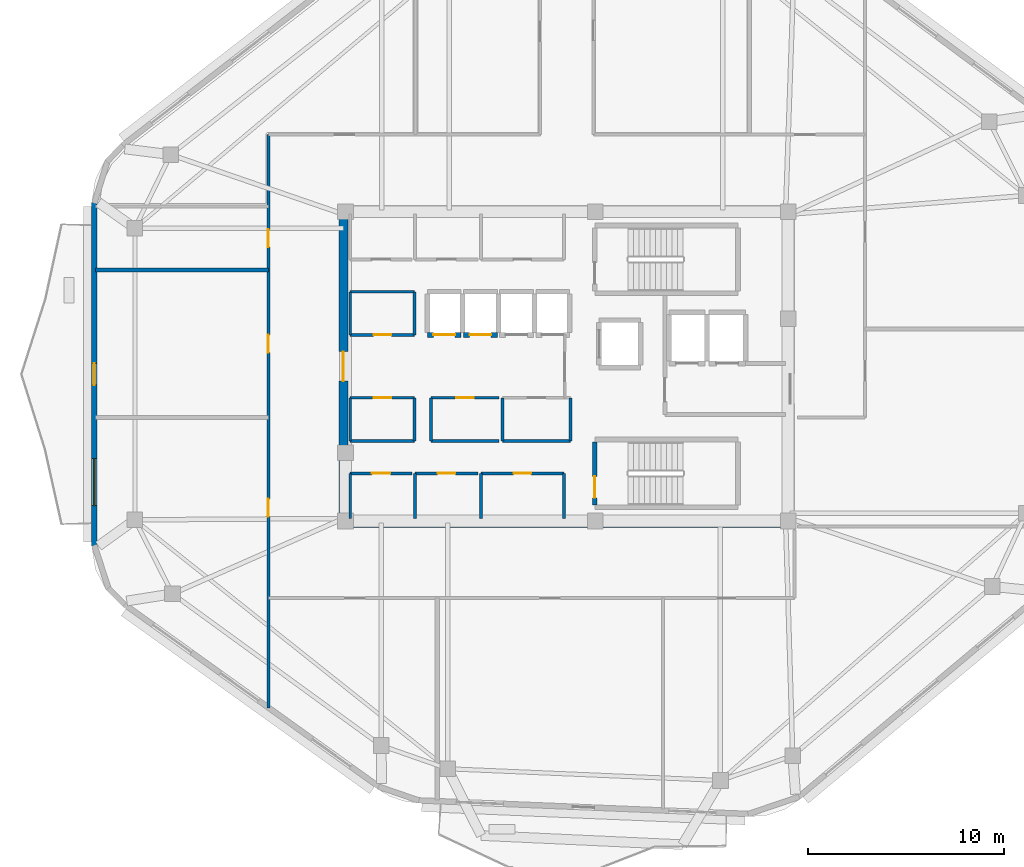
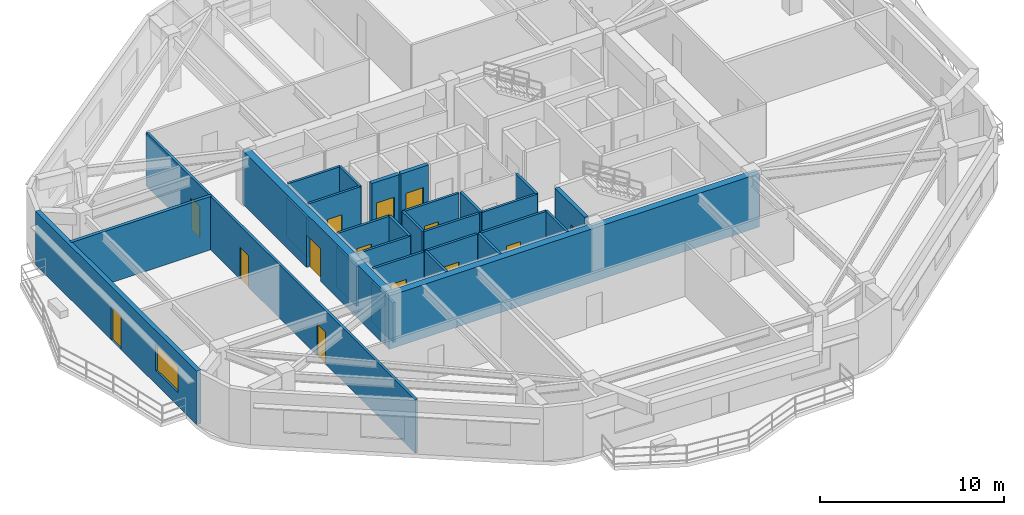
# One storey, part 6 of 12: 29 walls, 14 doors, 1 window, 15 openings.
"""IFC4 building model written with IfcOpenShell, lengths in metres."""

from ifc_helpers import new_model, si_unit, direction, frame, frame_2d, origin, place, context, subcontext, project, spatial, rectangle, extrude, material, layer, layer_set, type_object, element, fill, save


model = new_model("IFC4")

# Units and contexts
model_context = context("Model", 3, precision=1e-05, world=origin(), true_north=direction((0.0, 1.0)))
body_context = subcontext(model_context, "Body", "Model", "MODEL_VIEW")
ifc_project = project(units=[si_unit("LENGTHUNIT", "METRE"), si_unit("AREAUNIT", "SQUARE_METRE"), si_unit("VOLUMEUNIT", "CUBIC_METRE"), si_unit("PLANEANGLEUNIT", "RADIAN"), si_unit("MASSUNIT", "GRAM", prefix="KILO")], contexts=[model_context])

# Site, building, storey
site_placement = place(None, origin())
site = spatial("IfcSite", under=ifc_project, at=site_placement, CompositionType="ELEMENT")
building_placement = place(site_placement, origin())
building = spatial("IfcBuilding", under=site, at=building_placement, Name="Zulverin Broadcast Headquarters", CompositionType="ELEMENT")
storey_placement = place(building_placement, frame((0.0, 0.0, 293.39990234375)))
storey = spatial("IfcBuildingStorey", under=building, at=storey_placement, Name="L75", CompositionType="ELEMENT", Elevation=293.39990234375)

# Walls
ifc_material_1 = material(Name="Acoustic drywall steel stud", Category="steel")
ifc_layer_1 = layer(ifc_material_1, 0.199951171875, Name="Acoustic drywall steel stud", Category="steel")
ifc_layer_set_1 = layer_set([ifc_layer_1], Name="Acoustic drywall steel stud")
wall_type_1 = type_object("IfcWallType", Name="WL-ACOU-200", PredefinedType="PARTITIONING", material=ifc_layer_set_1)
wall_1_placement = place(storey_placement, frame((13.0048828125, 30.10009765625, 0.0), z_axis=(0.0, 0.0, 1.0), x_axis=(1.0, 0.0, 0.0)))
element("IfcWall", 1, at=wall_1_placement, inside=storey, type_object=wall_type_1, Name="L75 Room Partition Wall RP-15", PredefinedType="PARTITIONING", context=body_context, shape_type="SweptSolid", body=[
    extrude(rectangle(XDim=8.795166015625, YDim=0.199951171875, at=frame_2d((4.3974609375, 0.0))), origin(), (0.0, 0.0, 1.0), 3.5400390625),
])
ifc_material_2 = material(Name="Concrete C50/60", Category="concrete")
ifc_layer_2 = layer(ifc_material_2, 0.449951171875, Name="Concrete C50/60", Category="concrete")
ifc_layer_set_2 = layer_set([ifc_layer_2], Name="Concrete C50/60")
wall_type_2 = type_object("IfcWallType", Name="WL-CORE-450", PredefinedType="SHEAR", material=ifc_layer_set_2)
wall_2_placement = place(storey_placement, frame((25.39990234375, 17.22509765625, 0.0), z_axis=(0.0, 0.0, 1.0), x_axis=(1.0, 0.0, 0.0)))
element("IfcWall", 2, at=wall_2_placement, inside=storey, type_object=wall_type_2, Name="L75 Core South Shear Wall", PredefinedType="SHEAR", context=body_context, shape_type="SweptSolid", body=[
    extrude(rectangle(XDim=23.2001953125, YDim=0.449951171875, at=frame_2d((11.60009765625, 0.0))), origin(), (0.0, 0.0, 1.0), 3.5400390625),
])

# Wall, opening, door
wall_3_placement = place(storey_placement, frame((25.625, 17.449951171875, 0.0), z_axis=(0.0, 0.0, 1.0), x_axis=(0.0, 1.0, 0.0)))
wall_3 = element("IfcWall", 3, at=wall_3_placement, inside=storey, type_object=wall_type_2, Name="L75 Core West Shear Wall", PredefinedType="SHEAR", context=body_context, shape_type="SweptSolid", body=[
    extrude(rectangle(XDim=15.5, YDim=0.449951171875, at=frame_2d((7.75, 0.0))), origin(), (0.0, 0.0, 1.0), 3.5400390625),
])
opening_1_placement = place(wall_3_placement, frame((7.0, 0.0, 0.0)))
opening_1 = element("IfcOpeningElement", 4, at=opening_1_placement, cuts=wall_3, Name="Opening D-L75-CW1", PredefinedType="OPENING", context=body_context, shape_type="SweptSolid", body=[
    extrude(rectangle(XDim=1.5, YDim=2.14990234375, at=frame_2d((0.75, 1.074951171875))), frame((0.0, 0.23486328125, 0.0), z_axis=(0.0, -1.0, 0.0), x_axis=(1.0, 0.0, 0.0)), (0.0, 0.0, 1.0), 0.469970703125),
])
ifc_material_3 = material(Name="Fire-rated glazed steel frame", Category="steel")
door_type_1 = type_object("IfcDoorType", Name="DR-COR-1500", OperationType="DOUBLE_DOOR_SINGLE_SWING", PredefinedType="DOOR", material=ifc_material_3)
door_1_placement = place(opening_1_placement, origin())
door_1 = element("IfcDoor", 5, at=door_1_placement, inside=storey, type_object=door_type_1, Name="L75 Central Lift Lobby West Portal Door", OperationType="DOUBLE_DOOR_SINGLE_SWING", OverallHeight=2.14990234375, OverallWidth=1.5, PredefinedType="DOOR", context=body_context, shape_type="SweptSolid", body=[
    extrude(rectangle(XDim=1.5, YDim=2.14990234375, at=frame_2d((0.75, 1.074951171875))), frame((0.0, 0.02490234375, 0.0), z_axis=(0.0, -1.0, 0.0), x_axis=(1.0, 0.0, 0.0)), (0.0, 0.0, 1.0), 0.050048828125),
])
fill(opening_1, door_1)

# Wall, openings, door, window
ifc_material_4 = material(Name="Insulated pale-metal clad concrete spandrel C40/50", Category="concrete")
ifc_layer_3 = layer(ifc_material_4, 0.280029296875, Name="Insulated pale-metal clad concrete spandrel C40/50", Category="concrete")
ifc_layer_set_3 = layer_set([ifc_layer_3], Name="Insulated pale-metal clad concrete spandrel C40/50")
wall_type_3 = type_object("IfcWallType", Name="WL-EXT-280", PredefinedType="STANDARD", material=ifc_layer_set_3)
wall_4_placement = place(storey_placement, frame((12.93994140625, 33.548095703125, 0.0), z_axis=(0.0, 0.0, 1.0), x_axis=(0.0, -1.0, 0.0)))
wall_4 = element("IfcWall", 6, at=wall_4_placement, inside=storey, type_object=wall_type_3, Name="L75 Pale-Metal Clad Spandrel Wall 7", PredefinedType="STANDARD", context=body_context, shape_type="SweptSolid", body=[
    extrude(rectangle(XDim=17.496337890625, YDim=0.280029296875, at=frame_2d((8.748046875, 0.0))), origin(), (0.0, 0.0, 1.0), 3.5400390625),
])
opening_2_placement = place(wall_4_placement, frame((8.1982421875, 0.0, 0.0)))
opening_2 = element("IfcOpeningElement", 7, at=opening_2_placement, cuts=wall_4, Name="Opening D-L75-TR7", PredefinedType="OPENING", context=body_context, shape_type="SweptSolid", body=[
    extrude(rectangle(XDim=1.10009765625, YDim=2.199951171875, at=frame_2d((0.550048828125, 1.10009765625))), frame((0.0, 0.14990234375, 0.0), z_axis=(0.0, -1.0, 0.0), x_axis=(1.0, 0.0, 0.0)), (0.0, 0.0, 1.0), 0.300048828125),
])
opening_3_placement = place(wall_4_placement, frame((13.046875, 0.0, 0.89990234375)))
opening_3 = element("IfcOpeningElement", 8, at=opening_3_placement, cuts=wall_4, Name="Opening W-L75-E71", PredefinedType="OPENING", context=body_context, shape_type="SweptSolid", body=[
    extrude(rectangle(XDim=2.39990234375, YDim=1.75, at=frame_2d((1.199951171875, 0.875))), frame((0.0, 0.14990234375, 0.0), z_axis=(0.0, -1.0, 0.0), x_axis=(1.0, 0.0, 0.0)), (0.0, 0.0, 1.0), 0.300048828125),
])
ifc_material_5 = material(Name="Thermally broken aluminium glazed", Category="aluminium")
door_type_2 = type_object("IfcDoorType", Name="DR-TERR-1100", OperationType="SINGLE_SWING_RIGHT", PredefinedType="DOOR", material=ifc_material_5)
door_2_placement = place(opening_2_placement, origin())
door_2 = element("IfcDoor", 9, at=door_2_placement, inside=storey, type_object=door_type_2, Name="L75 Planted Terrace Glazed Access Door 7", OperationType="SINGLE_SWING_RIGHT", OverallHeight=2.199951171875, OverallWidth=1.10009765625, PredefinedType="DOOR", context=body_context, shape_type="SweptSolid", body=[
    extrude(rectangle(XDim=1.10009765625, YDim=2.199951171875, at=frame_2d((0.550048828125, 1.10009765625))), frame((0.0, 0.02490234375, 0.0), z_axis=(0.0, -1.0, 0.0), x_axis=(1.0, 0.0, 0.0)), (0.0, 0.0, 1.0), 0.050048828125),
])
fill(opening_2, door_2)
ifc_material_6 = material(Name="Pale anodized aluminium frame with solar-control low-E double glazing", Category="aluminium")
window_type = type_object("IfcWindowType", Name="WIN-RIB-2400", PartitioningType="SINGLE_PANEL", PredefinedType="WINDOW", material=ifc_material_6)
window_placement = place(opening_3_placement, origin())
window = element("IfcWindow", 10, at=window_placement, inside=storey, type_object=window_type, Name="L75 Ribbon Glazing Window 7 1", OverallHeight=1.75, OverallWidth=2.39990234375, PartitioningType="SINGLE_PANEL", PredefinedType="WINDOW", context=body_context, shape_type="SweptSolid", body=[
    extrude(rectangle(XDim=2.39990234375, YDim=1.75, at=frame_2d((1.199951171875, 0.875))), frame((0.0, 0.030029296875, 0.0), z_axis=(0.0, -1.0, 0.0), x_axis=(1.0, 0.0, 0.0)), (0.0, 0.0, 1.0), 0.06005859375),
])
fill(opening_3, window)

# Wall, opening, door
ifc_material_7 = material(Name="Fire-rated gypsum stud partition", Category="gypsum")
ifc_layer_4 = layer(ifc_material_7, 0.14990234375, Name="Fire-rated gypsum stud partition", Category="gypsum")
ifc_layer_set_4 = layer_set([ifc_layer_4], Name="Fire-rated gypsum stud partition")
wall_type_4 = type_object("IfcWallType", Name="WL-PART-150", PredefinedType="PARTITIONING", material=ifc_layer_set_4)
wall_5_placement = place(storey_placement, frame((25.969970703125, 19.75, 0.0), z_axis=(0.0, 0.0, 1.0), x_axis=(1.0, 0.0, 0.0)))
wall_5 = element("IfcWall", 11, at=wall_5_placement, inside=storey, type_object=wall_type_4, Name="L75 Core Female WC Front Wall", PredefinedType="PARTITIONING", context=body_context, shape_type="SweptSolid", body=[
    extrude(rectangle(XDim=3.150146484375, YDim=0.14990234375, at=frame_2d((1.5751953125, 0.0))), origin(), (0.0, 0.0, 1.0), 3.5400390625),
])
opening_4_placement = place(wall_5_placement, frame((1.10009765625, 0.0, 0.0)))
opening_4 = element("IfcOpeningElement", 12, at=opening_4_placement, cuts=wall_5, Name="Opening D-L75-SC1", PredefinedType="OPENING", context=body_context, shape_type="SweptSolid", body=[
    extrude(rectangle(XDim=0.949951171875, YDim=2.10009765625, at=frame_2d((0.47509765625, 1.050048828125))), frame((0.0, 0.0849609375, 0.0), z_axis=(0.0, -1.0, 0.0), x_axis=(1.0, 0.0, 0.0)), (0.0, 0.0, 1.0), 0.169921875),
])
ifc_material_8 = material(Name="Fire-rated moisture-resistant laminate leaf", Category="wood")
door_type_3 = type_object("IfcDoorType", Name="DR-WC-950", OperationType="SINGLE_SWING_LEFT", PredefinedType="DOOR", material=ifc_material_8)
door_3_placement = place(opening_4_placement, origin())
door_3 = element("IfcDoor", 13, at=door_3_placement, inside=storey, type_object=door_type_3, Name="L75 Female WC Door", OperationType="SINGLE_SWING_RIGHT", OverallHeight=2.10009765625, OverallWidth=0.949951171875, PredefinedType="DOOR", context=body_context, shape_type="SweptSolid", body=[
    extrude(rectangle(XDim=0.949951171875, YDim=2.10009765625, at=frame_2d((0.47509765625, 1.050048828125))), frame((0.0, 0.02490234375, 0.0), z_axis=(0.0, -1.0, 0.0), x_axis=(1.0, 0.0, 0.0)), (0.0, 0.0, 1.0), 0.050048828125),
])
fill(opening_4, door_3)

# Wall
wall_6_placement = place(storey_placement, frame((25.969970703125, 17.449951171875, 0.0), z_axis=(0.0, 0.0, 1.0), x_axis=(0.0, 1.0, 0.0)))
element("IfcWall", 14, at=wall_6_placement, inside=storey, type_object=wall_type_4, Name="L75 Core Female WC West Wall", PredefinedType="PARTITIONING", context=body_context, shape_type="SweptSolid", body=[
    extrude(rectangle(XDim=2.300048828125, YDim=0.14990234375, at=frame_2d((1.14990234375, 0.0))), origin(), (0.0, 0.0, 1.0), 2.64013671875),
])

# Wall, opening, door
wall_7_placement = place(storey_placement, frame((29.280029296875, 19.75, 0.0), z_axis=(0.0, 0.0, 1.0), x_axis=(1.0, 0.0, 0.0)))
wall_7 = element("IfcWall", 15, at=wall_7_placement, inside=storey, type_object=wall_type_4, Name="L75 Core Cleaner Store Front Wall", PredefinedType="PARTITIONING", context=body_context, shape_type="SweptSolid", body=[
    extrude(rectangle(XDim=3.18994140625, YDim=0.14990234375, at=frame_2d((1.594970703125, 0.0))), origin(), (0.0, 0.0, 1.0), 3.5400390625),
])
opening_5_placement = place(wall_7_placement, frame((1.14501953125, 0.0, 0.0)))
opening_5 = element("IfcOpeningElement", 16, at=opening_5_placement, cuts=wall_7, Name="Opening D-L75-SC2", PredefinedType="OPENING", context=body_context, shape_type="SweptSolid", body=[
    extrude(rectangle(XDim=0.89990234375, YDim=2.10009765625, at=frame_2d((0.449951171875, 1.050048828125))), frame((0.0, 0.0849609375, 0.0), z_axis=(0.0, -1.0, 0.0), x_axis=(1.0, 0.0, 0.0)), (0.0, 0.0, 1.0), 0.169921875),
])
ifc_material_9 = material(Name="Powder-coated steel access leaf", Category="steel")
door_type_4 = type_object("IfcDoorType", Name="DR-RISER-900", OperationType="SINGLE_SWING_LEFT", PredefinedType="DOOR", material=ifc_material_9)
door_4_placement = place(opening_5_placement, origin())
door_4 = element("IfcDoor", 17, at=door_4_placement, inside=storey, type_object=door_type_4, Name="L75 Cleaner Store Door", OperationType="SINGLE_SWING_LEFT", OverallHeight=2.10009765625, OverallWidth=0.89990234375, PredefinedType="DOOR", context=body_context, shape_type="SweptSolid", body=[
    extrude(rectangle(XDim=0.89990234375, YDim=2.10009765625, at=frame_2d((0.449951171875, 1.050048828125))), frame((0.0, 0.02490234375, 0.0), z_axis=(0.0, -1.0, 0.0), x_axis=(1.0, 0.0, 0.0)), (0.0, 0.0, 1.0), 0.050048828125),
])
fill(opening_5, door_4)

# Wall
wall_8_placement = place(storey_placement, frame((29.280029296875, 17.449951171875, 0.0), z_axis=(0.0, 0.0, 1.0), x_axis=(0.0, 1.0, 0.0)))
element("IfcWall", 18, at=wall_8_placement, inside=storey, type_object=wall_type_4, Name="L75 Core Cleaner Store West Wall", PredefinedType="PARTITIONING", context=body_context, shape_type="SweptSolid", body=[
    extrude(rectangle(XDim=2.300048828125, YDim=0.14990234375, at=frame_2d((1.14990234375, 0.0))), origin(), (0.0, 0.0, 1.0), 3.5400390625),
])

# Wall, opening, door
wall_9_placement = place(storey_placement, frame((32.6298828125, 19.75, 0.0), z_axis=(0.0, 0.0, 1.0), x_axis=(1.0, 0.0, 0.0)))
wall_9 = element("IfcWall", 19, at=wall_9_placement, inside=storey, type_object=wall_type_4, Name="L75 Core Broadcast Fibre Riser Front Wall", PredefinedType="PARTITIONING", context=body_context, shape_type="SweptSolid", body=[
    extrude(rectangle(XDim=4.22021484375, YDim=0.14990234375, at=frame_2d((2.110107421875, 0.0))), origin(), (0.0, 0.0, 1.0), 3.5400390625),
])
opening_6_placement = place(wall_9_placement, frame((1.659912109375, 0.0, 0.0)))
opening_6 = element("IfcOpeningElement", 20, at=opening_6_placement, cuts=wall_9, Name="Opening D-L75-SC3", PredefinedType="OPENING", context=body_context, shape_type="SweptSolid", body=[
    extrude(rectangle(XDim=0.89990234375, YDim=2.10009765625, at=frame_2d((0.449951171875, 1.050048828125))), frame((0.0, 0.0849609375, 0.0), z_axis=(0.0, -1.0, 0.0), x_axis=(1.0, 0.0, 0.0)), (0.0, 0.0, 1.0), 0.169921875),
])
door_5_placement = place(opening_6_placement, origin())
door_5 = element("IfcDoor", 21, at=door_5_placement, inside=storey, type_object=door_type_4, Name="L75 Broadcast Fibre Riser Door", OperationType="SINGLE_SWING_RIGHT", OverallHeight=2.10009765625, OverallWidth=0.89990234375, PredefinedType="DOOR", context=body_context, shape_type="SweptSolid", body=[
    extrude(rectangle(XDim=0.89990234375, YDim=2.10009765625, at=frame_2d((0.449951171875, 1.050048828125))), frame((0.0, 0.02490234375, 0.0), z_axis=(0.0, -1.0, 0.0), x_axis=(1.0, 0.0, 0.0)), (0.0, 0.0, 1.0), 0.050048828125),
])
fill(opening_6, door_5)

# Walls
for number, where, z_axis, x_axis, name in (
    (22, (32.6298828125, 17.449951171875, 0.0), (0.0, 0.0, 1.0), (0.0, 1.0, 0.0), "L75 Core Broadcast Fibre Riser West Wall"),
    (23, (36.85009765625, 17.449951171875, 0.0), (0.0, 0.0, 1.0), (0.0, 1.0, 0.0), "L75 Core Broadcast Fibre Riser East Wall"),
):
    element("IfcWall", number, at=place(storey_placement, frame(where, z_axis=z_axis, x_axis=x_axis)), inside=storey, type_object=wall_type_4, Name=name, PredefinedType="PARTITIONING", context=body_context, shape_type="SweptSolid", body=[
        extrude(rectangle(XDim=2.300048828125, YDim=0.14990234375, at=frame_2d((1.14990234375, 0.0))), origin(), (0.0, 0.0, 1.0), 3.5400390625),
    ])

# Wall, opening, door
wall_10_placement = place(storey_placement, frame((25.969970703125, 26.800048828125, 0.0), z_axis=(0.0, 0.0, 1.0), x_axis=(1.0, 0.0, 0.0)))
wall_10 = element("IfcWall", 24, at=wall_10_placement, inside=storey, type_object=wall_type_4, Name="L75 Core UPS Battery Store S Wall", PredefinedType="PARTITIONING", context=body_context, shape_type="SweptSolid", body=[
    extrude(rectangle(XDim=3.280029296875, YDim=0.14990234375, at=frame_2d((1.64013671875, 0.0))), origin(), (0.0, 0.0, 1.0), 3.5400390625),
])
opening_7_placement = place(wall_10_placement, frame((1.18994140625, 0.0, 0.0)))
opening_7 = element("IfcOpeningElement", 25, at=opening_7_placement, cuts=wall_10, Name="Opening D-L75-RCLN", PredefinedType="OPENING", context=body_context, shape_type="SweptSolid", body=[
    extrude(rectangle(XDim=0.89990234375, YDim=2.10009765625, at=frame_2d((0.449951171875, 1.050048828125))), frame((0.0, 0.0849609375, 0.0), z_axis=(0.0, -1.0, 0.0), x_axis=(1.0, 0.0, 0.0)), (0.0, 0.0, 1.0), 0.169921875),
])
door_6_placement = place(opening_7_placement, origin())
door_6 = element("IfcDoor", 26, at=door_6_placement, inside=storey, type_object=door_type_4, Name="L75 Core UPS Battery Store Door", OperationType="SINGLE_SWING_LEFT", OverallHeight=2.10009765625, OverallWidth=0.89990234375, PredefinedType="DOOR", context=body_context, shape_type="SweptSolid", body=[
    extrude(rectangle(XDim=0.89990234375, YDim=2.10009765625, at=frame_2d((0.449951171875, 1.050048828125))), frame((0.0, 0.02490234375, 0.0), z_axis=(0.0, -1.0, 0.0), x_axis=(1.0, 0.0, 0.0)), (0.0, 0.0, 1.0), 0.050048828125),
])
fill(opening_7, door_6)

# Walls
wall_11_placement = place(storey_placement, frame((25.969970703125, 29.0, 0.0), z_axis=(0.0, 0.0, 1.0), x_axis=(1.0, 0.0, 0.0)))
element("IfcWall", 27, at=wall_11_placement, inside=storey, type_object=wall_type_4, Name="L75 Core UPS Battery Store N Wall", PredefinedType="PARTITIONING", context=body_context, shape_type="SweptSolid", body=[
    extrude(rectangle(XDim=3.280029296875, YDim=0.14990234375, at=frame_2d((1.64013671875, 0.0))), origin(), (0.0, 0.0, 1.0), 3.5400390625),
])
wall_12_placement = place(storey_placement, frame((25.969970703125, 26.800048828125, 0.0), z_axis=(0.0, 0.0, 1.0), x_axis=(0.0, 1.0, 0.0)))
element("IfcWall", 28, at=wall_12_placement, inside=storey, type_object=wall_type_4, Name="L75 Core UPS Battery Store W Wall", PredefinedType="PARTITIONING", context=body_context, shape_type="SweptSolid", body=[
    extrude(rectangle(XDim=2.199951171875, YDim=0.14990234375, at=frame_2d((1.10009765625, 0.0))), origin(), (0.0, 0.0, 1.0), 2.64013671875),
])
wall_13_placement = place(storey_placement, frame((29.25, 26.800048828125, 0.0), z_axis=(0.0, 0.0, 1.0), x_axis=(0.0, 1.0, 0.0)))
element("IfcWall", 29, at=wall_13_placement, inside=storey, type_object=wall_type_4, Name="L75 Core UPS Battery Store E Wall", PredefinedType="PARTITIONING", context=body_context, shape_type="SweptSolid", body=[
    extrude(rectangle(XDim=2.199951171875, YDim=0.14990234375, at=frame_2d((1.10009765625, 0.0))), origin(), (0.0, 0.0, 1.0), 3.5400390625),
])
wall_14_placement = place(storey_placement, frame((25.969970703125, 21.39990234375, 0.0), z_axis=(0.0, 0.0, 1.0), x_axis=(1.0, 0.0, 0.0)))
element("IfcWall", 30, at=wall_14_placement, inside=storey, type_object=wall_type_4, Name="L75 Housekeeping Equipment Store S Wall", PredefinedType="PARTITIONING", context=body_context, shape_type="SweptSolid", body=[
    extrude(rectangle(XDim=3.280029296875, YDim=0.14990234375, at=frame_2d((1.64013671875, 0.0))), origin(), (0.0, 0.0, 1.0), 3.5400390625),
])

# Wall, opening, door
wall_15_placement = place(storey_placement, frame((25.969970703125, 23.60009765625, 0.0), z_axis=(0.0, 0.0, 1.0), x_axis=(1.0, 0.0, 0.0)))
wall_15 = element("IfcWall", 31, at=wall_15_placement, inside=storey, type_object=wall_type_4, Name="L75 Housekeeping Equipment Store N Wall", PredefinedType="PARTITIONING", context=body_context, shape_type="SweptSolid", body=[
    extrude(rectangle(XDim=3.280029296875, YDim=0.14990234375, at=frame_2d((1.64013671875, 0.0))), origin(), (0.0, 0.0, 1.0), 3.5400390625),
])
opening_8_placement = place(wall_15_placement, frame((1.18994140625, 0.0, 0.0)))
opening_8 = element("IfcOpeningElement", 32, at=opening_8_placement, cuts=wall_15, Name="Opening D-L75-RCLS", PredefinedType="OPENING", context=body_context, shape_type="SweptSolid", body=[
    extrude(rectangle(XDim=0.89990234375, YDim=2.10009765625, at=frame_2d((0.449951171875, 1.050048828125))), frame((0.0, 0.0849609375, 0.0), z_axis=(0.0, -1.0, 0.0), x_axis=(1.0, 0.0, 0.0)), (0.0, 0.0, 1.0), 0.169921875),
])
door_7_placement = place(opening_8_placement, origin())
door_7 = element("IfcDoor", 33, at=door_7_placement, inside=storey, type_object=door_type_4, Name="L75 Housekeeping Equipment Store Door", OperationType="SINGLE_SWING_RIGHT", OverallHeight=2.10009765625, OverallWidth=0.89990234375, PredefinedType="DOOR", context=body_context, shape_type="SweptSolid", body=[
    extrude(rectangle(XDim=0.89990234375, YDim=2.10009765625, at=frame_2d((0.449951171875, 1.050048828125))), frame((0.0, 0.02490234375, 0.0), z_axis=(0.0, -1.0, 0.0), x_axis=(1.0, 0.0, 0.0)), (0.0, 0.0, 1.0), 0.050048828125),
])
fill(opening_8, door_7)

# Walls
wall_16_placement = place(storey_placement, frame((25.969970703125, 21.39990234375, 0.0), z_axis=(0.0, 0.0, 1.0), x_axis=(0.0, 1.0, 0.0)))
element("IfcWall", 34, at=wall_16_placement, inside=storey, type_object=wall_type_4, Name="L75 Housekeeping Equipment Store W Wall", PredefinedType="PARTITIONING", context=body_context, shape_type="SweptSolid", body=[
    extrude(rectangle(XDim=2.2001953125, YDim=0.14990234375, at=frame_2d((1.10009765625, 0.0))), origin(), (0.0, 0.0, 1.0), 2.64013671875),
])
wall_17_placement = place(storey_placement, frame((29.25, 21.39990234375, 0.0), z_axis=(0.0, 0.0, 1.0), x_axis=(0.0, 1.0, 0.0)))
element("IfcWall", 35, at=wall_17_placement, inside=storey, type_object=wall_type_4, Name="L75 Housekeeping Equipment Store E Wall", PredefinedType="PARTITIONING", context=body_context, shape_type="SweptSolid", body=[
    extrude(rectangle(XDim=2.2001953125, YDim=0.14990234375, at=frame_2d((1.10009765625, 0.0))), origin(), (0.0, 0.0, 1.0), 3.5400390625),
])
wall_18_placement = place(storey_placement, frame((30.080078125, 21.39990234375, 0.0), z_axis=(0.0, 0.0, 1.0), x_axis=(1.0, 0.0, 0.0)))
element("IfcWall", 36, at=wall_18_placement, inside=storey, type_object=wall_type_4, Name="L75 High-Zone Archive Vault Store S Wall", PredefinedType="PARTITIONING", context=body_context, shape_type="SweptSolid", body=[
    extrude(rectangle(XDim=3.47998046875, YDim=0.14990234375, at=frame_2d((1.739990234375, 0.0))), origin(), (0.0, 0.0, 1.0), 3.5400390625),
])

# Wall, opening, door
wall_19_placement = place(storey_placement, frame((30.080078125, 23.60009765625, 0.0), z_axis=(0.0, 0.0, 1.0), x_axis=(1.0, 0.0, 0.0)))
wall_19 = element("IfcWall", 37, at=wall_19_placement, inside=storey, type_object=wall_type_4, Name="L75 High-Zone Archive Vault Store N Wall", PredefinedType="PARTITIONING", context=body_context, shape_type="SweptSolid", body=[
    extrude(rectangle(XDim=3.47998046875, YDim=0.14990234375, at=frame_2d((1.739990234375, 0.0))), origin(), (0.0, 0.0, 1.0), 3.5400390625),
])
opening_9_placement = place(wall_19_placement, frame((1.2900390625, 0.0, 0.0)))
opening_9 = element("IfcOpeningElement", 38, at=opening_9_placement, cuts=wall_19, Name="Opening D-L75-RM1", PredefinedType="OPENING", context=body_context, shape_type="SweptSolid", body=[
    extrude(rectangle(XDim=0.89990234375, YDim=2.10009765625, at=frame_2d((0.449951171875, 1.050048828125))), frame((0.0, 0.0849609375, 0.0), z_axis=(0.0, -1.0, 0.0), x_axis=(1.0, 0.0, 0.0)), (0.0, 0.0, 1.0), 0.169921875),
])
door_8_placement = place(opening_9_placement, origin())
door_8 = element("IfcDoor", 39, at=door_8_placement, inside=storey, type_object=door_type_4, Name="L75 High-Zone Archive Vault Store Door", OperationType="SINGLE_SWING_LEFT", OverallHeight=2.10009765625, OverallWidth=0.89990234375, PredefinedType="DOOR", context=body_context, shape_type="SweptSolid", body=[
    extrude(rectangle(XDim=0.89990234375, YDim=2.10009765625, at=frame_2d((0.449951171875, 1.050048828125))), frame((0.0, 0.02490234375, 0.0), z_axis=(0.0, -1.0, 0.0), x_axis=(1.0, 0.0, 0.0)), (0.0, 0.0, 1.0), 0.050048828125),
])
fill(opening_9, door_8)

# Walls
wall_20_placement = place(storey_placement, frame((30.080078125, 21.39990234375, 0.0), z_axis=(0.0, 0.0, 1.0), x_axis=(0.0, 1.0, 0.0)))
element("IfcWall", 40, at=wall_20_placement, inside=storey, type_object=wall_type_4, Name="L75 High-Zone Archive Vault Store W Wall", PredefinedType="PARTITIONING", context=body_context, shape_type="SweptSolid", body=[
    extrude(rectangle(XDim=2.2001953125, YDim=0.14990234375, at=frame_2d((1.10009765625, 0.0))), origin(), (0.0, 0.0, 1.0), 3.5400390625),
])
wall_21_placement = place(storey_placement, frame((33.719970703125, 21.39990234375, 0.0), z_axis=(0.0, 0.0, 1.0), x_axis=(1.0, 0.0, 0.0)))
element("IfcWall", 41, at=wall_21_placement, inside=storey, type_object=wall_type_4, Name="L75 Executive Floor Pantry Store S Wall", PredefinedType="PARTITIONING", context=body_context, shape_type="SweptSolid", body=[
    extrude(rectangle(XDim=3.47998046875, YDim=0.14990234375, at=frame_2d((1.739990234375, 0.0))), origin(), (0.0, 0.0, 1.0), 3.5400390625),
])
for number, where, z_axis, x_axis, name in (
    (42, (33.719970703125, 21.39990234375, 0.0), (0.0, 0.0, 1.0), (0.0, 1.0, 0.0), "L75 Executive Floor Pantry Store W Wall"),
    (43, (37.199951171875, 21.39990234375, 0.0), (0.0, 0.0, 1.0), (0.0, 1.0, 0.0), "L75 Executive Floor Pantry Store E Wall"),
):
    element("IfcWall", number, at=place(storey_placement, frame(where, z_axis=z_axis, x_axis=x_axis)), inside=storey, type_object=wall_type_4, Name=name, PredefinedType="PARTITIONING", context=body_context, shape_type="SweptSolid", body=[
        extrude(rectangle(XDim=2.2001953125, YDim=0.14990234375, at=frame_2d((1.10009765625, 0.0))), origin(), (0.0, 0.0, 1.0), 3.5400390625),
    ])

# Wall, openings, doors
wall_22_placement = place(storey_placement, frame((21.800048828125, 7.789794921875, 0.0), z_axis=(0.0, 0.0, 1.0), x_axis=(0.0, 1.0, 0.0)))
wall_22 = element("IfcWall", 44, at=wall_22_placement, inside=storey, type_object=wall_type_4, Name="L75 Gallery Partition Wall CG-09", PredefinedType="PARTITIONING", context=body_context, shape_type="SweptSolid", body=[
    extrude(rectangle(XDim=29.210205078125, YDim=0.14990234375, at=frame_2d((14.60498046875, 0.0))), origin(), (0.0, 0.0, 1.0), 3.5400390625),
])
opening_10_placement = place(wall_22_placement, frame((9.760009765625, 0.0, 0.0)))
opening_10 = element("IfcOpeningElement", 45, at=opening_10_placement, cuts=wall_22, Name="Opening D-L75-08", PredefinedType="OPENING", context=body_context, shape_type="SweptSolid", body=[
    extrude(rectangle(XDim=0.89990234375, YDim=2.10009765625, at=frame_2d((0.449951171875, 1.050048828125))), frame((0.0, 0.0849609375, 0.0), z_axis=(0.0, -1.0, 0.0), x_axis=(1.0, 0.0, 0.0)), (0.0, 0.0, 1.0), 0.169921875),
])
opening_11_placement = place(wall_22_placement, frame((18.110107421875, 0.0, 0.0)))
opening_11 = element("IfcOpeningElement", 46, at=opening_11_placement, cuts=wall_22, Name="Opening D-L75-09", PredefinedType="OPENING", context=body_context, shape_type="SweptSolid", body=[
    extrude(rectangle(XDim=0.89990234375, YDim=2.10009765625, at=frame_2d((0.449951171875, 1.050048828125))), frame((0.0, 0.0849609375, 0.0), z_axis=(0.0, -1.0, 0.0), x_axis=(1.0, 0.0, 0.0)), (0.0, 0.0, 1.0), 0.169921875),
])
opening_12_placement = place(wall_22_placement, frame((23.485107421875, 0.0, 0.0)))
opening_12 = element("IfcOpeningElement", 47, at=opening_12_placement, cuts=wall_22, Name="Opening D-L75-10", PredefinedType="OPENING", context=body_context, shape_type="SweptSolid", body=[
    extrude(rectangle(XDim=0.89990234375, YDim=2.10009765625, at=frame_2d((0.449951171875, 1.050048828125))), frame((0.0, 0.0849609375, 0.0), z_axis=(0.0, -1.0, 0.0), x_axis=(1.0, 0.0, 0.0)), (0.0, 0.0, 1.0), 0.169921875),
])
ifc_material_10 = material(Name="Fire-rated hardwood veneer timber leaf", Category="wood")
door_type_5 = type_object("IfcDoorType", Name="DR-ROOM-900", OperationType="SINGLE_SWING_RIGHT", PredefinedType="DOOR", material=ifc_material_10)
door_9_placement = place(opening_10_placement, origin())
door_9 = element("IfcDoor", 48, at=door_9_placement, inside=storey, type_object=door_type_5, Name="L75 Boardroom Door", OperationType="SINGLE_SWING_LEFT", OverallHeight=2.10009765625, OverallWidth=0.89990234375, PredefinedType="DOOR", context=body_context, shape_type="SweptSolid", body=[
    extrude(rectangle(XDim=0.89990234375, YDim=2.10009765625, at=frame_2d((0.449951171875, 1.050048828125))), frame((0.0, 0.02490234375, 0.0), z_axis=(0.0, -1.0, 0.0), x_axis=(1.0, 0.0, 0.0)), (0.0, 0.0, 1.0), 0.050048828125),
])
fill(opening_10, door_9)
door_10_placement = place(opening_11_placement, origin())
door_10 = element("IfcDoor", 49, at=door_10_placement, inside=storey, type_object=door_type_5, Name="L75 Executive Pantry Door", OperationType="SINGLE_SWING_RIGHT", OverallHeight=2.10009765625, OverallWidth=0.89990234375, PredefinedType="DOOR", context=body_context, shape_type="SweptSolid", body=[
    extrude(rectangle(XDim=0.89990234375, YDim=2.10009765625, at=frame_2d((0.449951171875, 1.050048828125))), frame((0.0, 0.02490234375, 0.0), z_axis=(0.0, -1.0, 0.0), x_axis=(1.0, 0.0, 0.0)), (0.0, 0.0, 1.0), 0.050048828125),
])
fill(opening_11, door_10)
door_11_placement = place(opening_12_placement, origin())
door_11 = element("IfcDoor", 50, at=door_11_placement, inside=storey, type_object=door_type_5, Name="L75 Executive Reception Door", OperationType="SINGLE_SWING_LEFT", OverallHeight=2.10009765625, OverallWidth=0.89990234375, PredefinedType="DOOR", context=body_context, shape_type="SweptSolid", body=[
    extrude(rectangle(XDim=0.89990234375, YDim=2.10009765625, at=frame_2d((0.449951171875, 1.050048828125))), frame((0.0, 0.02490234375, 0.0), z_axis=(0.0, -1.0, 0.0), x_axis=(1.0, 0.0, 0.0)), (0.0, 0.0, 1.0), 0.050048828125),
])
fill(opening_12, door_11)

# Wall, opening, door
ifc_layer_5 = layer(ifc_material_2, 0.25, Name="Concrete C50/60", Category="concrete")
ifc_layer_set_5 = layer_set([ifc_layer_5], Name="Concrete C50/60")
wall_type_5 = type_object("IfcWallType", Name="WL-SHAFT-250", PredefinedType="SHEAR", material=ifc_layer_set_5)
wall_23_placement = place(storey_placement, frame((38.425048828125, 18.14990234375, 0.0), z_axis=(0.0, 0.0, 1.0), x_axis=(0.0, 1.0, 0.0)))
wall_23 = element("IfcWall", 51, at=wall_23_placement, inside=storey, type_object=wall_type_5, Name="L75 ST-2 Enclosure Wall W", PredefinedType="SHEAR", context=body_context, shape_type="SweptSolid", body=[
    extrude(rectangle(XDim=3.2001953125, YDim=0.25, at=frame_2d((1.60009765625, 0.0))), origin(), (0.0, 0.0, 1.0), 3.5400390625),
])
opening_13_placement = place(wall_23_placement, frame((0.35009765625, 0.0, 0.0)))
opening_13 = element("IfcOpeningElement", 52, at=opening_13_placement, cuts=wall_23, Name="Opening D-L75-ST-2", PredefinedType="OPENING", context=body_context, shape_type="SweptSolid", body=[
    extrude(rectangle(XDim=1.10009765625, YDim=2.14990234375, at=frame_2d((0.550048828125, 1.074951171875))), frame((0.0, 0.135009765625, 0.0), z_axis=(0.0, -1.0, 0.0), x_axis=(1.0, 0.0, 0.0)), (0.0, 0.0, 1.0), 0.27001953125),
])
ifc_material_11 = material(Name="Fire-rated steel leaf and frame", Category="steel")
door_type_6 = type_object("IfcDoorType", Name="DR-STAIR-1100", OperationType="SINGLE_SWING_LEFT", PredefinedType="DOOR", material=ifc_material_11)
door_12_placement = place(opening_13_placement, origin())
door_12 = element("IfcDoor", 53, at=door_12_placement, inside=storey, type_object=door_type_6, Name="L75 Exit Stair ST-2 Fire Door", OperationType="SINGLE_SWING_RIGHT", OverallHeight=2.14990234375, OverallWidth=1.10009765625, PredefinedType="DOOR", context=body_context, shape_type="SweptSolid", body=[
    extrude(rectangle(XDim=1.10009765625, YDim=2.14990234375, at=frame_2d((0.550048828125, 1.074951171875))), frame((0.0, 0.02490234375, 0.0), z_axis=(0.0, -1.0, 0.0), x_axis=(1.0, 0.0, 0.0)), (0.0, 0.0, 1.0), 0.050048828125),
])
fill(opening_13, door_12)

wall_24_placement = place(storey_placement, frame((29.89990234375, 26.800048828125, 0.0), z_axis=(0.0, 0.0, 1.0), x_axis=(1.0, 0.0, 0.0)))
wall_24 = element("IfcWall", 54, at=wall_24_placement, inside=storey, type_object=wall_type_5, Name="L75 Lift PL-H1 Shaft Wall S", PredefinedType="SHEAR", context=body_context, shape_type="SweptSolid", body=[
    extrude(rectangle(XDim=1.72021484375, YDim=0.25, at=frame_2d((0.860107421875, 0.0))), origin(), (0.0, 0.0, 1.0), 3.5400390625),
])
opening_14_placement = place(wall_24_placement, frame((0.31005859375, 0.0, 0.0)))
opening_14 = element("IfcOpeningElement", 55, at=opening_14_placement, cuts=wall_24, Name="Opening LD-PL-H1-L75", PredefinedType="OPENING", context=body_context, shape_type="SweptSolid", body=[
    extrude(rectangle(XDim=1.10009765625, YDim=2.14990234375, at=frame_2d((0.550048828125, 1.074951171875))), frame((0.0, 0.135009765625, 0.0), z_axis=(0.0, -1.0, 0.0), x_axis=(1.0, 0.0, 0.0)), (0.0, 0.0, 1.0), 0.27001953125),
])
ifc_material_12 = material(Name="Brushed stainless steel landing", Category="steel")
door_type_7 = type_object("IfcDoorType", Name="LD-PASS-1100", OperationType="DOUBLE_DOOR_SLIDING", PredefinedType="DOOR", material=ifc_material_12)
door_13_placement = place(opening_14_placement, origin())
door_13 = element("IfcDoor", 56, at=door_13_placement, inside=storey, type_object=door_type_7, Name="L75 Lift PL-H1 Sliding Landing Door", OperationType="DOUBLE_DOOR_SLIDING", OverallHeight=2.14990234375, OverallWidth=1.10009765625, PredefinedType="DOOR", context=body_context, shape_type="SweptSolid", body=[
    extrude(rectangle(XDim=1.10009765625, YDim=2.14990234375, at=frame_2d((0.550048828125, 1.074951171875))), frame((0.0, 0.02490234375, 0.0), z_axis=(0.0, -1.0, 0.0), x_axis=(1.0, 0.0, 0.0)), (0.0, 0.0, 1.0), 0.050048828125),
])
fill(opening_14, door_13)

wall_25_placement = place(storey_placement, frame((31.739990234375, 26.800048828125, 0.0), z_axis=(0.0, 0.0, 1.0), x_axis=(1.0, 0.0, 0.0)))
wall_25 = element("IfcWall", 57, at=wall_25_placement, inside=storey, type_object=wall_type_5, Name="L75 Lift PL-H2 Shaft Wall S", PredefinedType="SHEAR", context=body_context, shape_type="SweptSolid", body=[
    extrude(rectangle(XDim=1.719970703125, YDim=0.25, at=frame_2d((0.85986328125, 0.0))), origin(), (0.0, 0.0, 1.0), 3.5400390625),
])
opening_15_placement = place(wall_25_placement, frame((0.31005859375, 0.0, 0.0)))
opening_15 = element("IfcOpeningElement", 58, at=opening_15_placement, cuts=wall_25, Name="Opening LD-PL-H2-L75", PredefinedType="OPENING", context=body_context, shape_type="SweptSolid", body=[
    extrude(rectangle(XDim=1.10009765625, YDim=2.14990234375, at=frame_2d((0.550048828125, 1.074951171875))), frame((0.0, 0.135009765625, 0.0), z_axis=(0.0, -1.0, 0.0), x_axis=(1.0, 0.0, 0.0)), (0.0, 0.0, 1.0), 0.27001953125),
])
door_14_placement = place(opening_15_placement, origin())
door_14 = element("IfcDoor", 59, at=door_14_placement, inside=storey, type_object=door_type_7, Name="L75 Lift PL-H2 Sliding Landing Door", OperationType="DOUBLE_DOOR_SLIDING", OverallHeight=2.14990234375, OverallWidth=1.10009765625, PredefinedType="DOOR", context=body_context, shape_type="SweptSolid", body=[
    extrude(rectangle(XDim=1.10009765625, YDim=2.14990234375, at=frame_2d((0.550048828125, 1.074951171875))), frame((0.0, 0.02490234375, 0.0), z_axis=(0.0, -1.0, 0.0), x_axis=(1.0, 0.0, 0.0)), (0.0, 0.0, 1.0), 0.050048828125),
])
fill(opening_15, door_14)

save(model, "model.ifc")
